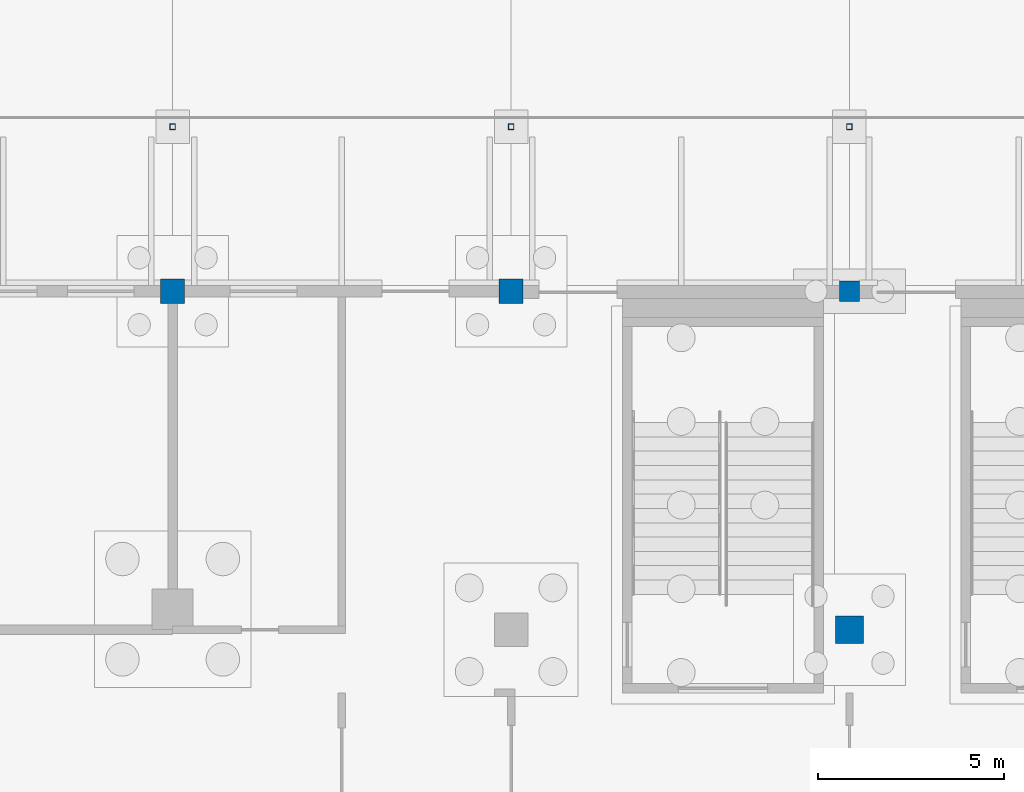
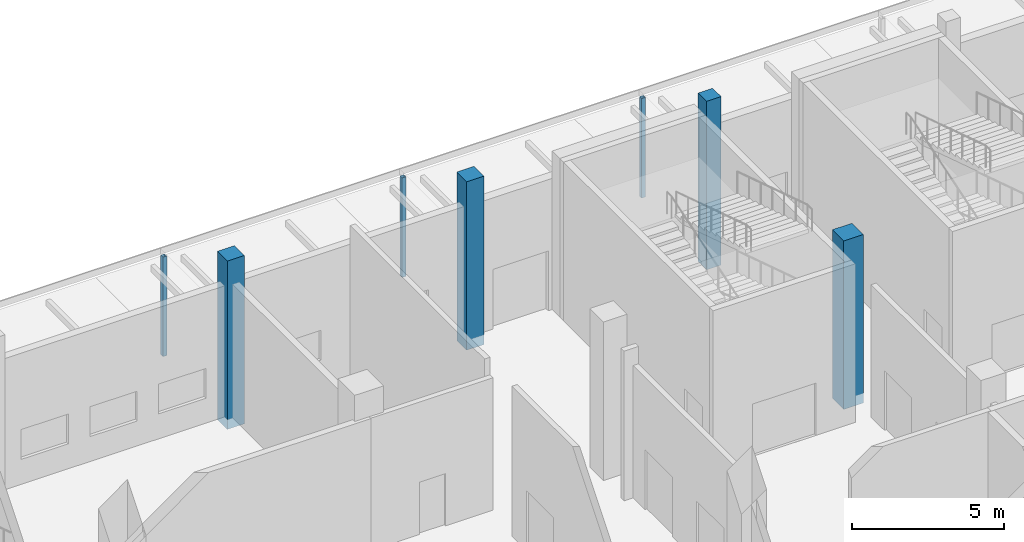
# One storey, part 34 of 129: 7 columns.
"""IFC4 building model written with IfcOpenShell, lengths in metres."""

from ifc_helpers import new_model, si_unit, direction, frame, origin, origin_2d, place, context, subcontext, project, spatial, rectangle, hollow_rectangle, extrude, material, material_profile, profile_set, type_object, element, save


model = new_model("IFC4")

# Units and contexts
model_context = context("Model", 3, precision=1e-05, world=origin(), true_north=direction((0.0, 1.0)))
body_context = subcontext(model_context, "Body", "Model", "MODEL_VIEW")
ifc_project = project(units=[si_unit("LENGTHUNIT", "METRE"), si_unit("AREAUNIT", "SQUARE_METRE"), si_unit("VOLUMEUNIT", "CUBIC_METRE"), si_unit("PLANEANGLEUNIT", "RADIAN"), si_unit("MASSUNIT", "GRAM", prefix="KILO")], contexts=[model_context])

# Site, building, storey
site_placement = place(None, origin())
site = spatial("IfcSite", under=ifc_project, at=site_placement, CompositionType="ELEMENT")
building_placement = place(site_placement, origin())
building = spatial("IfcBuilding", under=site, at=building_placement, Name="Shirokan Park Arena", CompositionType="ELEMENT")
storey_placement = place(building_placement, origin())
storey = spatial("IfcBuildingStorey", under=building, at=storey_placement, Name="L00", CompositionType="ELEMENT", Elevation=0.0)

# Columns
ifc_material_1 = material(Name="Concrete C35", Category="concrete")
ifc_material_profile_1 = material_profile(ifc_material_1, rectangle(XDim=0.550048828125, YDim=0.550048828125, at=origin_2d()), Name="550x550")
ifc_profile_set_1 = profile_set([ifc_material_profile_1], Name="Concrete C35")
column_type_1 = type_object("IfcColumnType", Name="RC column 550x550", PredefinedType="COLUMN", material=ifc_profile_set_1)
column_1_placement = place(storey_placement, frame((118.300048828125, 109.199951171875, -0.39990234375), z_axis=(0.0, 0.0, 1.0), x_axis=(1.0, 0.0, 0.0)))
element("IfcColumn", 1, at=column_1_placement, inside=storey, type_object=column_type_1, Name="Column 14N L00", PredefinedType="COLUMN", context=body_context, shape_type="SweptSolid", body=[
    extrude(rectangle(XDim=0.550048828125, YDim=0.550048828125, at=origin_2d()), origin(), (0.0, 0.0, 1.0), 6.77001953125),
])
ifc_material_profile_2 = material_profile(ifc_material_1, rectangle(XDim=0.64990234375, YDim=0.64990234375, at=origin_2d()), Name="650x650")
ifc_profile_set_2 = profile_set([ifc_material_profile_2], Name="Concrete C35")
column_type_2 = type_object("IfcColumnType", Name="RC column 650x650", PredefinedType="COLUMN", material=ifc_profile_set_2)
for number, where, z_axis, x_axis, name in (
    (2, (100.10009765625, 109.199951171875, -0.39990234375), (0.0, 0.0, 1.0), (1.0, 0.0, 0.0), "Column 12N L00"),
    (3, (109.199951171875, 109.199951171875, -0.39990234375), (0.0, 0.0, 1.0), (1.0, 0.0, 0.0), "Column 13N L00"),
):
    element("IfcColumn", number, at=place(storey_placement, frame(where, z_axis=z_axis, x_axis=x_axis)), inside=storey, type_object=column_type_2, Name=name, PredefinedType="COLUMN", context=body_context, shape_type="SweptSolid", body=[
        extrude(rectangle(XDim=0.64990234375, YDim=0.64990234375, at=origin_2d()), origin(), (0.0, 0.0, 1.0), 6.77001953125),
    ])
ifc_material_profile_3 = material_profile(ifc_material_1, rectangle(XDim=0.75, YDim=0.75, at=origin_2d()), Name="750x750")
ifc_profile_set_3 = profile_set([ifc_material_profile_3], Name="Concrete C35")
column_type_3 = type_object("IfcColumnType", Name="RC column 750x750", PredefinedType="COLUMN", material=ifc_profile_set_3)
column_2_placement = place(storey_placement, frame((118.300048828125, 100.10009765625, -0.39990234375), z_axis=(0.0, 0.0, 1.0), x_axis=(1.0, 0.0, 0.0)))
element("IfcColumn", 4, at=column_2_placement, inside=storey, type_object=column_type_3, Name="Column 14M L00", PredefinedType="COLUMN", context=body_context, shape_type="SweptSolid", body=[
    extrude(rectangle(XDim=0.75, YDim=0.75, at=origin_2d()), origin(), (0.0, 0.0, 1.0), 6.77001953125),
])
ifc_material_2 = material(Name="Steel S355", Category="steel")
ifc_material_profile_4 = material_profile(ifc_material_2, hollow_rectangle(XDim=0.14990234375, YDim=0.14990234375, WallThickness=0.008056640625, at=origin_2d()), Name="RHS 150x150x8")
ifc_profile_set_4 = profile_set([ifc_material_profile_4], Name="Steel S355")
column_type_4 = type_object("IfcColumnType", Name="Steel post RHS 150x150x8", PredefinedType="COLUMN", material=ifc_profile_set_4)
for number, where, z_axis, x_axis, name in (
    (5, (118.300048828125, 113.625, -0.39990234375), (0.0, 0.0, 1.0), (1.0, 0.0, 0.0), "Canopy post north grid 4"),
    (6, (109.199951171875, 113.625, -0.39990234375), (0.0, 0.0, 1.0), (1.0, 0.0, 0.0), "Canopy post north grid 5"),
    (7, (100.10009765625, 113.625, -0.39990234375), (0.0, 0.0, 1.0), (1.0, 0.0, 0.0), "Canopy post north grid 6"),
):
    element("IfcColumn", number, at=place(storey_placement, frame(where, z_axis=z_axis, x_axis=x_axis)), inside=storey, type_object=column_type_4, Name=name, PredefinedType="COLUMN", context=body_context, shape_type="SweptSolid", body=[
        extrude(hollow_rectangle(XDim=0.14990234375, YDim=0.14990234375, WallThickness=0.008056640625, at=origin_2d()), origin(), (0.0, 0.0, 1.0), 4.0),
    ])

save(model, "model.ifc")
